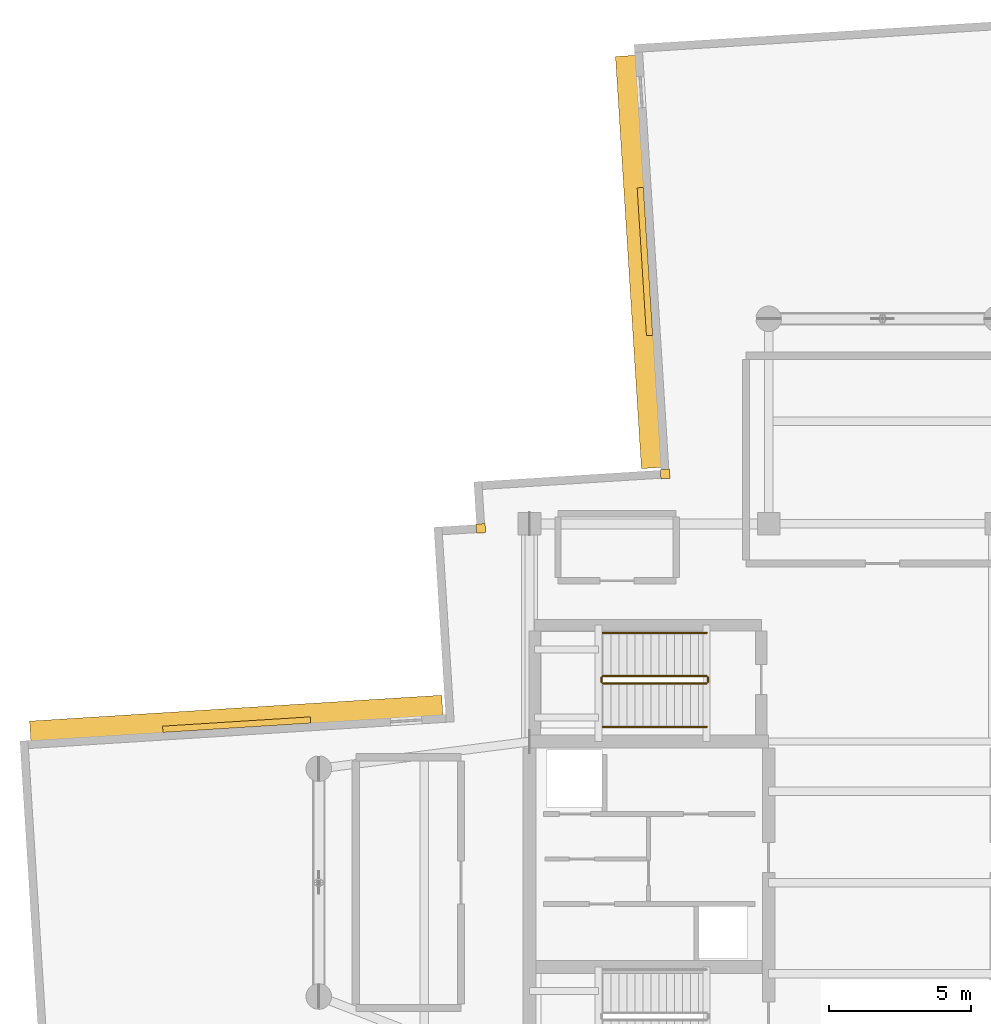
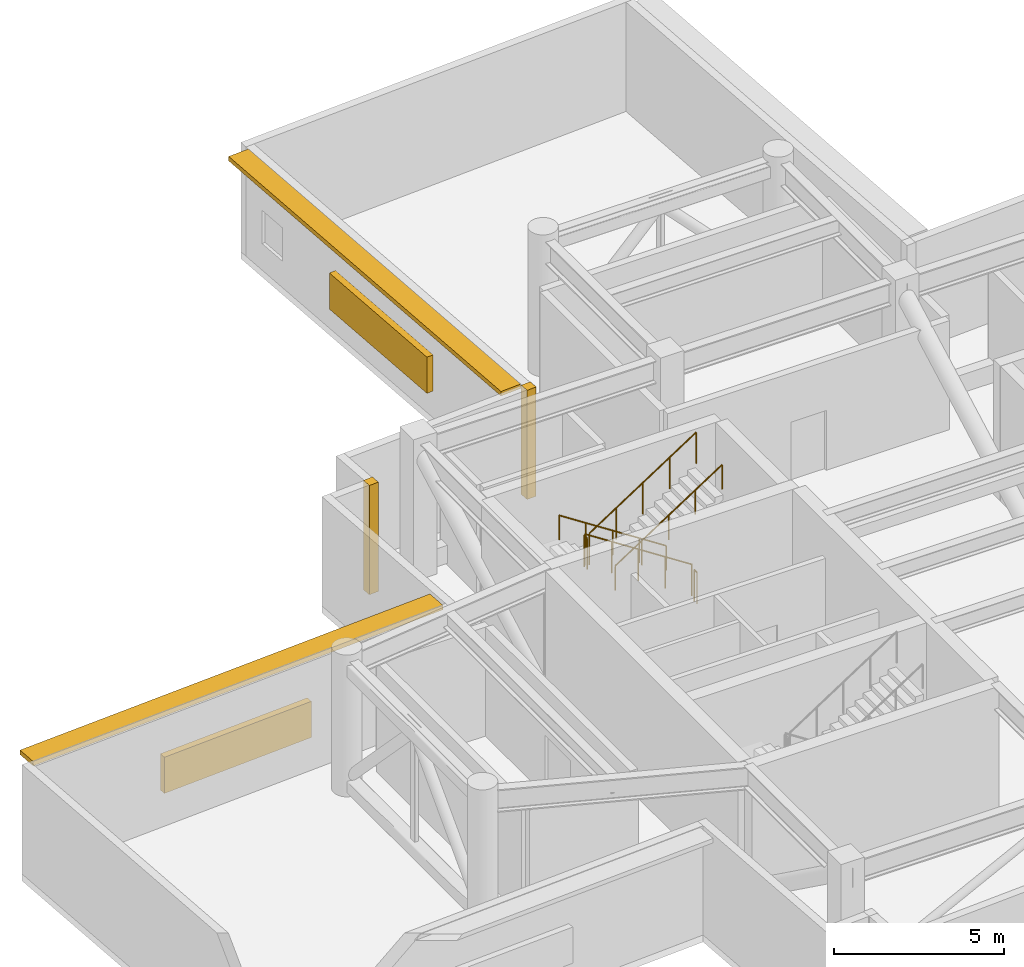
# One storey, part 13 of 14: 6 railings, 4 shading devices, 2 coverings.
"""IFC4 building model written with IfcOpenShell, lengths in metres."""

import ifcopenshell
import ifcopenshell.guid

model = None  # the IFC model being written
_history = None  # IfcOwnerHistory: only IFC2X3 demands one
_inside = {}  # id of a spatial element -> (the spatial element, [elements in it])
_under = {}  # id of a project, library or spatial element -> (it, [spatial elements below it])
_declared = {}  # id of a project -> (the project, [libraries it declares])
_typed = {}  # id of a type object -> (the type object, [elements of that type])
_made_of = {}  # id of a material, layer set ... -> (it, [elements and type objects made of it])


def new_model(schema):
    """Start an empty IFC model of exactly this schema.

    Asked for "IFC4X3", IfcOpenShell would pick the latest addendum, in which some entities
    have other attributes; the version numbers below select the first issue.
    IFC2X3 requires an IfcOwnerHistory on every rooted entity: one is made here for all.
    """
    global model, _history
    if schema == "IFC4X3":
        model = ifcopenshell.file(schema_version=(4, 3, 0, 0))
    else:
        model = ifcopenshell.file(schema=schema)
    _inside.clear()
    _under.clear()
    _declared.clear()
    _typed.clear()
    _made_of.clear()
    _history = None
    if model.schema == "IFC2X3":
        org = make("IfcOrganization", Name="unknown")
        user = make(
            "IfcPersonAndOrganization",
            ThePerson=make("IfcPerson", FamilyName="unknown"),
            TheOrganization=org,
        )
        app = make(
            "IfcApplication",
            ApplicationDeveloper=org,
            Version="unknown",
            ApplicationFullName="unknown",
            ApplicationIdentifier="unknown",
        )
        _history = make(
            "IfcOwnerHistory",
            OwningUser=user,
            OwningApplication=app,
            ChangeAction="ADDED",
            CreationDate=0,
        )
    return model


def make(cls, **values):
    """One entity of the class cls with the attributes given. An attribute that is None is left unset."""
    return model.create_entity(
        cls, **{name: value for name, value in values.items() if value is not None}
    )


def rooted(cls, **values):
    """An entity with a GlobalId (a new one), such as an element, a storey or a relation."""
    return make(cls, GlobalId=ifcopenshell.guid.new(), OwnerHistory=_history, **values)


def si_unit(unit_type, name, prefix=None):
    """IfcSIUnit, for example si_unit("LENGTHUNIT", "METRE", prefix="MILLI")."""
    return make("IfcSIUnit", UnitType=unit_type, Prefix=prefix, Name=name)


def assignment(units):
    """IfcUnitAssignment: the units of a project."""
    return None if units is None else make("IfcUnitAssignment", Units=units)


def point(xyz):
    """IfcCartesianPoint."""
    return None if xyz is None else make("IfcCartesianPoint", Coordinates=xyz)


def direction(xyz):
    """IfcDirection."""
    return None if xyz is None else make("IfcDirection", DirectionRatios=xyz)


def frame(location, z_axis=None, x_axis=None):
    """IfcAxis2Placement3D, a coordinate frame: its origin and axes. An axis left out is left unset."""
    return make(
        "IfcAxis2Placement3D",
        Location=point(location),
        Axis=direction(z_axis),
        RefDirection=direction(x_axis),
    )


def frame_2d(location, x_axis=None):
    """IfcAxis2Placement2D, a coordinate frame in the plane: its origin and x axis."""
    return make(
        "IfcAxis2Placement2D", Location=point(location), RefDirection=direction(x_axis)
    )


def origin():
    """The frame at (0, 0, 0) with its axes left unset."""
    return frame((0.0, 0.0, 0.0))


def origin_2d():
    """The frame at (0, 0) in the plane with its x axis left unset."""
    return frame_2d((0.0, 0.0))


def place(relative_to, where):
    """IfcLocalPlacement: puts the frame where relative to a parent placement (None: the world)."""
    return make(
        "IfcLocalPlacement", PlacementRelTo=relative_to, RelativePlacement=where
    )


def context(
    kind, dimensions, precision=None, world=None, true_north=None, identifier=None
):
    """IfcGeometricRepresentationContext, for example the 3D "Model" context."""
    return make(
        "IfcGeometricRepresentationContext",
        ContextIdentifier=identifier,
        ContextType=kind,
        CoordinateSpaceDimension=dimensions,
        Precision=precision,
        WorldCoordinateSystem=world,
        TrueNorth=true_north,
    )


def subcontext(parent, identifier, kind, view, scale=None):
    """IfcGeometricRepresentationSubContext, for example "Body" below "Model"."""
    return make(
        "IfcGeometricRepresentationSubContext",
        ContextIdentifier=identifier,
        ContextType=kind,
        ParentContext=parent,
        TargetScale=scale,
        TargetView=view,
    )


def project(units=None, contexts=None):
    """IfcProject with its units and contexts."""
    return rooted(
        "IfcProject",
        Name="project",
        RepresentationContexts=contexts,
        UnitsInContext=assignment(units),
    )


def spatial(cls, under=None, at=None, **own):
    """A site, building, storey or space (cls), placed at a placement, below another one or the project."""
    s = rooted(cls, ObjectPlacement=at, **own)
    if under is not None:
        _under.setdefault(under.id(), (under, []))[1].append(s)
    return s


def profile(cls, at=None, kind="AREA", **sizes):
    """A parametric profile (cls). Its sizes go by their IFC names, for example OverallWidth=200.0."""
    return make(cls, ProfileType=kind, Position=at, **sizes)


def rectangle(**sizes):
    """IfcRectangleProfileDef."""
    return profile("IfcRectangleProfileDef", **sizes)


def circle(**sizes):
    """IfcCircleProfileDef."""
    return profile("IfcCircleProfileDef", **sizes)


def extrude(swept, where, along, depth):
    """IfcExtrudedAreaSolid: the profile swept, set in the frame where, extruded along a direction by depth."""
    return make(
        "IfcExtrudedAreaSolid",
        SweptArea=swept,
        Position=where,
        ExtrudedDirection=direction(along),
        Depth=depth,
    )


def shape(context_of_items, identifier, shape_type, items):
    """IfcShapeRepresentation: the items that make up one representation, for example the "Body"."""
    return make(
        "IfcShapeRepresentation",
        ContextOfItems=context_of_items,
        RepresentationIdentifier=identifier,
        RepresentationType=shape_type,
        Items=items,
    )


def material(Name=None, Category=None):
    """IfcMaterial."""
    return make("IfcMaterial", Name=Name, Category=Category)


def layer(
    of_material, thickness, ventilated=None, Name=None, Category=None, Priority=None
):
    """IfcMaterialLayer: one layer of a wall or slab, of a material (None: an air gap)."""
    return make(
        "IfcMaterialLayer",
        Material=of_material,
        LayerThickness=thickness,
        IsVentilated=ventilated,
        Name=Name,
        Category=Category,
        Priority=Priority,
    )


def layer_set(layers, Name=None):
    """IfcMaterialLayerSet."""
    return make("IfcMaterialLayerSet", MaterialLayers=layers, LayerSetName=Name)


def made_of(thing, what):
    """Note that an element or type object is made of a material, layer set ...; save() writes the relation."""
    if what is not None:
        _made_of.setdefault(what.id(), (what, []))[1].append(thing)
    return thing


def type_object(cls, material=None, **own):
    """A type object (cls), such as IfcWallType, which elements share."""
    return made_of(rooted(cls, **own), material)


def element(
    cls,
    number,
    at=None,
    inside=None,
    cuts=None,
    type_object=None,
    material=None,
    context=None,
    identifier="Body",
    shape_type=None,
    held_by="IfcProductDefinitionShape",
    body=None,
    shapes=None,
    **own,
):
    """One element of the class cls, such as IfcWall. Its Tag is "e" and its number.

    at: its placement. inside: the storey or other place that contains it. cuts: it is an
    opening in that element (IfcRelVoidsElement). A single representation is given by context,
    identifier, shape_type and body (its items); several are given by shapes. held_by: the class
    of the entity that holds the representations. save() writes the other relations.
    """
    e = rooted(cls, Tag="e%d" % number, ObjectPlacement=at, **own)
    if body is not None:
        shapes = [shape(context, identifier, shape_type, body)]
    if shapes is not None:
        e.Representation = make(held_by, Representations=shapes)
    if inside is not None:
        _inside.setdefault(inside.id(), (inside, []))[1].append(e)
    if cuts is not None:
        rooted(
            "IfcRelVoidsElement", RelatingBuildingElement=cuts, RelatedOpeningElement=e
        )
    if type_object is not None:
        _typed.setdefault(type_object.id(), (type_object, []))[1].append(e)
    return made_of(e, material)


def aggregate(whole, parts):
    """IfcRelAggregates: a whole, such as a stair, and the parts it consists of."""
    return rooted("IfcRelAggregates", RelatingObject=whole, RelatedObjects=parts)


def save(model, path):
    """Write the relations noted so far, then the file.

    IfcRelAggregates (storeys below a building ...), IfcRelContainedInSpatialStructure (elements
    in a storey), IfcRelDefinesByType, IfcRelAssociatesMaterial and IfcRelDeclares: one each for
    every whole, place, type object, material and project.
    """
    for whole, parts in _under.values():
        aggregate(whole, parts)
    for where, things in _inside.values():
        rooted(
            "IfcRelContainedInSpatialStructure",
            RelatedElements=things,
            RelatingStructure=where,
        )
    for kind, things in _typed.values():
        rooted("IfcRelDefinesByType", RelatedObjects=things, RelatingType=kind)
    for what, things in _made_of.values():
        rooted("IfcRelAssociatesMaterial", RelatedObjects=things, RelatingMaterial=what)
    for by, libraries in _declared.values():
        rooted("IfcRelDeclares", RelatingContext=by, RelatedDefinitions=libraries)
    model.write(path)


model = new_model("IFC4")

# Units and contexts
model_context = context("Model", 3, precision=1e-05, world=origin(), true_north=direction((0.0, 1.0)))
body_context = subcontext(model_context, "Body", "Model", "MODEL_VIEW")
ifc_project = project(units=[si_unit("LENGTHUNIT", "METRE"), si_unit("AREAUNIT", "SQUARE_METRE"), si_unit("VOLUMEUNIT", "CUBIC_METRE"), si_unit("PLANEANGLEUNIT", "RADIAN"), si_unit("MASSUNIT", "GRAM", prefix="KILO")], contexts=[model_context])

# Site, building, storey
site_placement = place(None, origin())
site = spatial("IfcSite", under=ifc_project, at=site_placement, CompositionType="ELEMENT")
building_placement = place(site_placement, origin())
building = spatial("IfcBuilding", under=site, at=building_placement, Name="Qingluan Cross Belvedere", CompositionType="ELEMENT")
storey_placement = place(building_placement, frame((0.0, 0.0, 288.89990234375)))
storey = spatial("IfcBuildingStorey", under=building, at=storey_placement, Name="L72", CompositionType="ELEMENT", Elevation=288.89990234375)

# Coverings
ifc_material_1 = material(Name="Precast concrete C45", Category="concrete")
ifc_layer_1 = layer(ifc_material_1, 0.1201171875, Name="ConcreteSpandrelCladding_120")
ifc_layer_set_1 = layer_set([ifc_layer_1], Name="Precast concrete C45")
covering_type = type_object("IfcCoveringType", Name="ConcreteSpandrelCladding_120", PredefinedType="CLADDING", material=ifc_layer_set_1)
for number, where, z_axis, x_axis, name in (
    (1, (-14.10888671875, 12.438720703125, 0.0), (0.0, 0.0, 1.0), (0.998026728428, 0.062790519529, 0.0), "Corner closure L72-NW1"),
    (2, (-7.635986328125, 14.348876953125, 0.0), (0.0, 0.0, 1.0), (0.998026728428, 0.062790519529, 0.0), "Corner closure L72-NW2"),
):
    element("IfcCovering", number, at=place(storey_placement, frame(where, z_axis=z_axis, x_axis=x_axis)), inside=storey, type_object=covering_type, Name=name, PredefinedType="CLADDING", context=body_context, shape_type="SweptSolid", body=[
        extrude(rectangle(XDim=0.320068359375, YDim=0.320068359375, at=origin_2d()), origin(), (0.0, 0.0, 1.0), 3.929931640625),
    ])

# Shading devices
ifc_material_2 = material(Name="Precast concrete C45", Category="concrete")
ifc_layer_2 = layer(ifc_material_2, 0.139892578125, Name="ConcreteSunshadeBand_700")
ifc_layer_set_2 = layer_set([ifc_layer_2], Name="Precast concrete C45")
shading_device_type_1 = type_object("IfcShadingDeviceType", Name="ConcreteSunshadeBand_700", PredefinedType="USERDEFINED", material=ifc_layer_set_2)
for number, where, z_axis, x_axis, name in (
    (3, (-8.575439453125, 21.794677734375, 3.75), (0.0, 0.0, 1.0), (0.062795866837, -0.99802639199, 0.0), "Concrete SUNSHADE L72-NB"),
    (4, (-22.697509765625, 5.776123046875, 3.75), (0.0, 0.0, 1.0), (-0.998026818306, -0.062789090939, 0.0), "Concrete SUNSHADE L72-WA"),
):
    element("IfcShadingDevice", number, at=place(storey_placement, frame(where, z_axis=z_axis, x_axis=x_axis)), inside=storey, type_object=shading_device_type_1, Name=name, ObjectType="SUNSHADE", PredefinedType="USERDEFINED", context=body_context, shape_type="SweptSolid", body=[
        extrude(rectangle(XDim=14.5, YDim=0.699951171875, at=origin_2d()), origin(), (0.0, 0.0, 1.0), 0.159912109375),
    ])
ifc_material_3 = material(Name="Anodised aluminium acoustic louvre screen", Category="aluminium")
ifc_layer_3 = layer(ifc_material_3, 0.219970703125, Name="RefugeAcousticLouvre_Screen")
ifc_layer_set_3 = layer_set([ifc_layer_3], Name="Anodised aluminium acoustic louvre screen")
shading_device_type_2 = type_object("IfcShadingDeviceType", Name="RefugeAcousticLouvre_Screen", PredefinedType="JALOUSIE", material=ifc_layer_set_3)
for number, where, z_axis, x_axis, name in (
    (5, (-8.345947265625, 21.80908203125, 0.9501953125), (0.0, 0.0, 1.0), (0.062795866837, -0.99802639199, 0.0), "Plant acoustic louvre SCREEN L72-NB"),
    (6, (-22.68310546875, 5.546630859375, 0.9501953125), (0.0, 0.0, 1.0), (-0.998026818306, -0.062789090939, 0.0), "Plant acoustic louvre SCREEN L72-WA"),
):
    element("IfcShadingDevice", number, at=place(storey_placement, frame(where, z_axis=z_axis, x_axis=x_axis)), inside=storey, type_object=shading_device_type_2, Name=name, PredefinedType="JALOUSIE", context=body_context, shape_type="SweptSolid", body=[
        extrude(rectangle(XDim=5.199951171875, YDim=0.219970703125, at=origin_2d()), origin(), (0.0, 0.0, 1.0), 1.300048828125),
    ])

# Railings
ifc_material_4 = material(Name="Brushed stainless steel tubular handrail", Category="steel")
railing_type_1 = type_object("IfcRailingType", Name="StairPitchHandrail_900", PredefinedType="HANDRAIL", material=ifc_material_4)
railing_1_placement = place(storey_placement, frame((-6.179931640625, 8.77001953125, 0.18212890625)))
element("IfcRailing", 7, at=railing_1_placement, inside=storey, type_object=railing_type_1, Name="L72 ST3 stair handrail 1", PredefinedType="HANDRAIL", context=body_context, shape_type="SweptSolid", body=[
    extrude(circle(Radius=0.02392578125, at=origin_2d()), frame((0.0, 0.0, 0.8759765625), z_axis=(-0.83825089185, 0.0, 0.545284735081), x_axis=(0.0, -1.0, 0.0)), (0.0, 0.0, 1.0), 4.342529296875),
    extrude(circle(Radius=0.02099609375, at=origin_2d()), origin(), (0.0, 0.0, 1.0), 0.851806640625),
    extrude(circle(Radius=0.02099609375, at=origin_2d()), frame((-0.91015625, 0.0, 0.592041015625)), (0.0, 0.0, 1.0), 0.851806640625),
    extrude(circle(Radius=0.02099609375, at=origin_2d()), frame((-1.820068359375, 0.0, 1.18408203125)), (0.0, 0.0, 1.0), 0.851806640625),
    extrude(circle(Radius=0.02099609375, at=origin_2d()), frame((-2.72998046875, 0.0, 1.77587890625)), (0.0, 0.0, 1.0), 0.851806640625),
    extrude(circle(Radius=0.02099609375, at=origin_2d()), frame((-3.64013671875, 0.0, 2.367919921875)), (0.0, 0.0, 1.0), 0.851806640625),
])
railing_2_placement = place(storey_placement, frame((-9.820068359375, 5.469970703125, 2.732177734375)))
element("IfcRailing", 8, at=railing_2_placement, inside=storey, type_object=railing_type_1, Name="L72 ST3 stair handrail 2", PredefinedType="HANDRAIL", context=body_context, shape_type="SweptSolid", body=[
    extrude(circle(Radius=0.02392578125, at=origin_2d()), frame((0.0, 0.0, 0.8759765625), z_axis=(0.83825089185, 0.0, 0.545284735081), x_axis=(0.0, 1.0, 0.0)), (0.0, 0.0, 1.0), 4.342529296875),
    extrude(circle(Radius=0.02099609375, at=origin_2d()), origin(), (0.0, 0.0, 1.0), 0.851806640625),
    extrude(circle(Radius=0.02099609375, at=origin_2d()), frame((0.91015625, 0.0, 0.592041015625)), (0.0, 0.0, 1.0), 0.851806640625),
    extrude(circle(Radius=0.02099609375, at=origin_2d()), frame((1.820068359375, 0.0, 1.18408203125)), (0.0, 0.0, 1.0), 0.851806640625),
    extrude(circle(Radius=0.02099609375, at=origin_2d()), frame((2.72998046875, 0.0, 1.77587890625)), (0.0, 0.0, 1.0), 0.851806640625),
    extrude(circle(Radius=0.02099609375, at=origin_2d()), frame((3.64013671875, 0.0, 2.367919921875)), (0.0, 0.0, 1.0), 0.851806640625),
])
ifc_material_5 = material(Name="Painted steel stair well guard", Category="steel")
railing_type_2 = type_object("IfcRailingType", Name="StairWellGuard_1150", PredefinedType="BALUSTRADE", material=ifc_material_5)
railing_3_placement = place(storey_placement, frame((-6.179931640625, 7.25, 0.18212890625)))
element("IfcRailing", 9, at=railing_3_placement, inside=storey, type_object=railing_type_2, Name="L72 ST3 stair guard 1", PredefinedType="BALUSTRADE", context=body_context, shape_type="SweptSolid", body=[
    extrude(circle(Radius=0.02392578125, at=origin_2d()), frame((0.0, 0.0, 1.1259765625), z_axis=(-0.83825089185, 0.0, 0.545284735081), x_axis=(0.0, -1.0, 0.0)), (0.0, 0.0, 1.0), 4.342529296875),
    extrude(circle(Radius=0.02099609375, at=origin_2d()), origin(), (0.0, 0.0, 1.0), 1.101806640625),
    extrude(circle(Radius=0.02099609375, at=origin_2d()), frame((-0.91015625, 0.0, 0.592041015625)), (0.0, 0.0, 1.0), 1.101806640625),
    extrude(circle(Radius=0.02099609375, at=origin_2d()), frame((-1.820068359375, 0.0, 1.18408203125)), (0.0, 0.0, 1.0), 1.101806640625),
    extrude(circle(Radius=0.02099609375, at=origin_2d()), frame((-2.72998046875, 0.0, 1.77587890625)), (0.0, 0.0, 1.0), 1.101806640625),
    extrude(circle(Radius=0.02099609375, at=origin_2d()), frame((-3.64013671875, 0.0, 2.367919921875)), (0.0, 0.0, 1.0), 1.101806640625),
])
railing_4_placement = place(storey_placement, frame((-9.8701171875, 7.199951171875, 2.550048828125)))
element("IfcRailing", 10, at=railing_4_placement, inside=storey, type_object=railing_type_2, Name="L72 ST3 stair guard 2", PredefinedType="BALUSTRADE", context=body_context, shape_type="SweptSolid", body=[
    extrude(circle(Radius=0.02392578125, at=origin_2d()), frame((0.0, 0.0, 1.1259765625), z_axis=(0.0, -1.0, 0.0), x_axis=(1.0, 0.0, 0.0)), (0.0, 0.0, 1.0), 0.159912109375),
    extrude(circle(Radius=0.02099609375, at=origin_2d()), origin(), (0.0, 0.0, 1.0), 1.101806640625),
    extrude(circle(Radius=0.02099609375, at=origin_2d()), frame((0.0, -0.159912109375, 0.0)), (0.0, 0.0, 1.0), 1.101806640625),
])
railing_5_placement = place(storey_placement, frame((-9.820068359375, 6.989990234375, 2.732177734375)))
element("IfcRailing", 11, at=railing_5_placement, inside=storey, type_object=railing_type_2, Name="L72 ST3 stair guard 3", PredefinedType="BALUSTRADE", context=body_context, shape_type="SweptSolid", body=[
    extrude(circle(Radius=0.02392578125, at=origin_2d()), frame((0.0, 0.0, 1.1259765625), z_axis=(0.83825089185, 0.0, 0.545284735081), x_axis=(0.0, 1.0, 0.0)), (0.0, 0.0, 1.0), 4.342529296875),
    extrude(circle(Radius=0.02099609375, at=origin_2d()), origin(), (0.0, 0.0, 1.0), 1.101806640625),
    extrude(circle(Radius=0.02099609375, at=origin_2d()), frame((0.91015625, 0.0, 0.592041015625)), (0.0, 0.0, 1.0), 1.101806640625),
    extrude(circle(Radius=0.02099609375, at=origin_2d()), frame((1.820068359375, 0.0, 1.18408203125)), (0.0, 0.0, 1.0), 1.101806640625),
    extrude(circle(Radius=0.02099609375, at=origin_2d()), frame((2.72998046875, 0.0, 1.77587890625)), (0.0, 0.0, 1.0), 1.101806640625),
    extrude(circle(Radius=0.02099609375, at=origin_2d()), frame((3.64013671875, 0.0, 2.367919921875)), (0.0, 0.0, 1.0), 1.101806640625),
])
railing_6_placement = place(storey_placement, frame((-6.1298828125, 7.199951171875, 0.0)))
element("IfcRailing", 12, at=railing_6_placement, inside=storey, type_object=railing_type_2, Name="L72 ST3 stair guard 4", PredefinedType="BALUSTRADE", context=body_context, shape_type="SweptSolid", body=[
    extrude(circle(Radius=0.02392578125, at=origin_2d()), frame((0.0, 0.0, 1.1259765625), z_axis=(0.0, -1.0, 0.0), x_axis=(1.0, 0.0, 0.0)), (0.0, 0.0, 1.0), 0.159912109375),
    extrude(circle(Radius=0.02099609375, at=origin_2d()), origin(), (0.0, 0.0, 1.0), 1.101806640625),
    extrude(circle(Radius=0.02099609375, at=origin_2d()), frame((0.0, -0.159912109375, 0.0)), (0.0, 0.0, 1.0), 1.101806640625),
])

save(model, "model.ifc")
